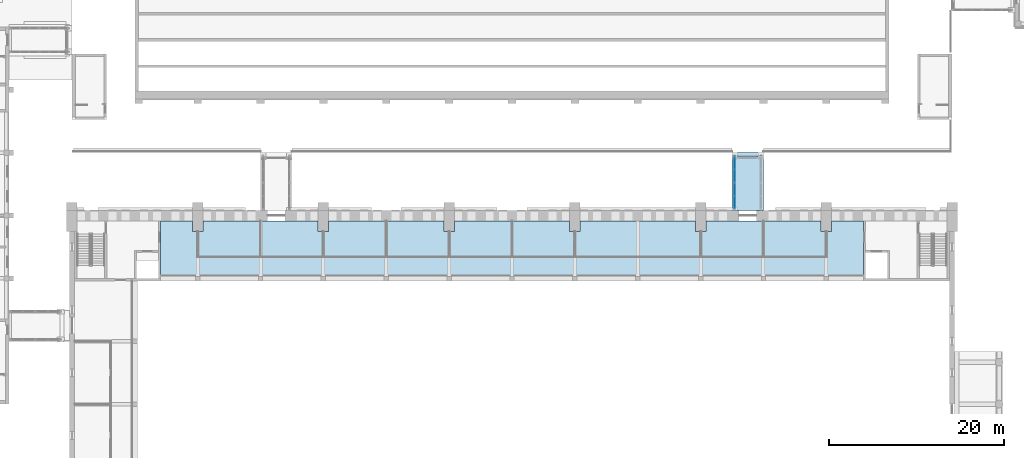
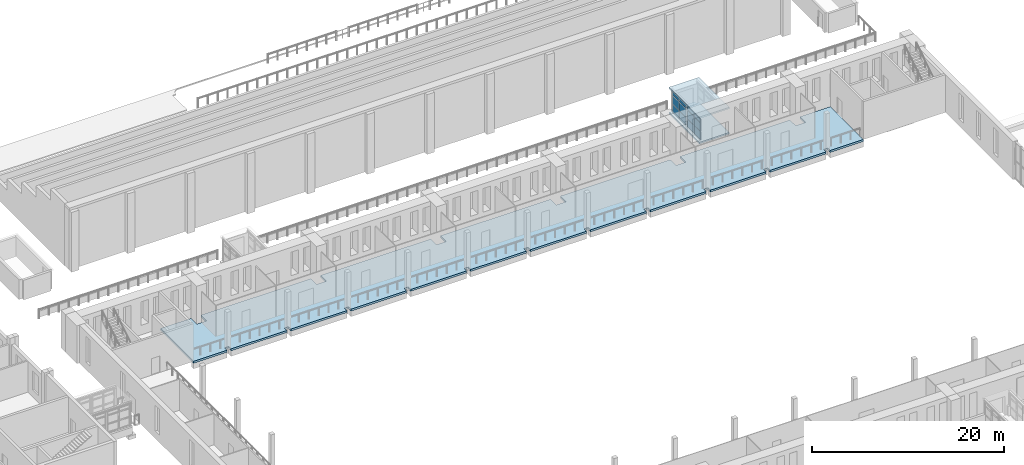
# One storey, part 67 of 131: 13 plates, 3 slabs, 2 elements without a shape of their own.
"""IFC4 building model written with IfcOpenShell, lengths in metres."""

from ifc_helpers import new_model, si_unit, direction, frame, origin, origin_2d, place, context, subcontext, project, spatial, polyline, rectangle, outline, extrude, material, layer, layer_set, type_object, element, aggregate, save


model = new_model("IFC4")

# Units and contexts
model_context = context("Model", 3, precision=1e-05, world=origin(), true_north=direction((0.0, 1.0)))
body_context = subcontext(model_context, "Body", "Model", "MODEL_VIEW")
ifc_project = project(units=[si_unit("LENGTHUNIT", "METRE"), si_unit("AREAUNIT", "SQUARE_METRE"), si_unit("VOLUMEUNIT", "CUBIC_METRE"), si_unit("PLANEANGLEUNIT", "RADIAN"), si_unit("MASSUNIT", "GRAM", prefix="KILO")], contexts=[model_context])

# Site, building, storey
site_placement = place(None, origin())
site = spatial("IfcSite", under=ifc_project, at=site_placement, CompositionType="ELEMENT")
building_placement = place(site_placement, origin())
building = spatial("IfcBuilding", under=site, at=building_placement, Name="Alderwick Market Hall", CompositionType="ELEMENT")
storey_placement = place(building_placement, frame((0.0, 0.0, 4.800048828125)))
storey = spatial("IfcBuildingStorey", under=building, at=storey_placement, Name="L00", CompositionType="ELEMENT", Elevation=4.800048828125)

# Slab
ifc_material_1 = material(Name="Concrete 4000 psi (f'c 28 MPa)", Category="concrete")
ifc_layer_1 = layer(ifc_material_1, 0.25)
ifc_layer_set_1 = layer_set([ifc_layer_1], Name="Concrete 4000 psi (f'c 28 MPa)")
slab_type_1 = type_object("IfcSlabType", Name="H Gallery slab 250", PredefinedType="FLOOR", material=ifc_layer_set_1)
slab_1_placement = place(storey_placement, frame((0.0, 0.0, -0.25)))
element("IfcSlab", 1, at=slab_1_placement, inside=storey, type_object=slab_type_1, Name="Gallery floor L00", PredefinedType="FLOOR", context=body_context, shape_type="SweptSolid", body=[
    extrude(outline(polyline([(64.199951171875, 107.39990234375), (64.199951171875, 106.199951171875), (65.39990234375, 106.199951171875), (65.39990234375, 107.39990234375), (78.60009765625, 107.39990234375), (78.60009765625, 106.199951171875), (79.800048828125, 106.199951171875), (79.800048828125, 107.39990234375), (93.0, 107.39990234375), (93.0, 106.199951171875), (94.199951171875, 106.199951171875), (94.199951171875, 107.39990234375), (107.39990234375, 107.39990234375), (107.39990234375, 106.199951171875), (108.60009765625, 106.199951171875), (108.60009765625, 107.39990234375), (121.800048828125, 107.39990234375), (121.800048828125, 106.199951171875), (123.0, 106.199951171875), (123.0, 107.39990234375), (136.199951171875, 107.39990234375), (136.199951171875, 106.199951171875), (137.39990234375, 106.199951171875), (137.39990234375, 107.39990234375), (141.050048828125, 107.39990234375), (141.050048828125, 100.510009765625), (137.050048828125, 100.510009765625), (137.050048828125, 101.010009765625), (136.550048828125, 101.010009765625), (136.550048828125, 100.510009765625), (129.85009765625, 100.510009765625), (129.85009765625, 101.010009765625), (129.35009765625, 101.010009765625), (129.35009765625, 100.510009765625), (122.64990234375, 100.510009765625), (122.64990234375, 101.010009765625), (122.14990234375, 101.010009765625), (122.14990234375, 100.510009765625), (115.449951171875, 100.510009765625), (115.449951171875, 101.010009765625), (114.949951171875, 101.010009765625), (114.949951171875, 100.510009765625), (108.25, 100.510009765625), (108.25, 101.010009765625), (107.75, 101.010009765625), (107.75, 100.510009765625), (101.050048828125, 100.510009765625), (101.050048828125, 101.010009765625), (100.550048828125, 101.010009765625), (100.550048828125, 100.510009765625), (93.85009765625, 100.510009765625), (93.85009765625, 101.010009765625), (93.35009765625, 101.010009765625), (93.35009765625, 100.510009765625), (86.64990234375, 100.510009765625), (86.64990234375, 101.010009765625), (86.14990234375, 101.010009765625), (86.14990234375, 100.510009765625), (79.449951171875, 100.510009765625), (79.449951171875, 101.010009765625), (78.949951171875, 101.010009765625), (78.949951171875, 100.510009765625), (72.25, 100.510009765625), (72.25, 101.010009765625), (71.75, 101.010009765625), (71.75, 100.510009765625), (65.050048828125, 100.510009765625), (65.050048828125, 101.010009765625), (64.550048828125, 101.010009765625), (64.550048828125, 100.510009765625), (60.550048828125, 100.510009765625), (60.550048828125, 107.39990234375), (64.199951171875, 107.39990234375)])), origin(), (0.0, 0.0, 1.0), 0.25),
])

# Curtain wall, plates
ifc_material_2 = material(Name="Aluminium frame", Category="aluminium")
ifc_layer_2 = layer(ifc_material_2, 0.10009765625)
ifc_layer_set_2 = layer_set([ifc_layer_2], Name="Aluminium frame")
curtain_wall_type = type_object("IfcCurtainWallType", Name="P Curtain Wall 100", PredefinedType="NOTDEFINED", material=ifc_layer_set_2)
curtain_wall_1_placement = place(storey_placement, origin())
curtain_wall_1 = element("IfcCurtainWall", 2, at=curtain_wall_1_placement, inside=storey, type_object=curtain_wall_type, Name="P.P2.cw.a0", PredefinedType="NOTDEFINED")
ifc_material_3 = material(Name="Glass, low-e insulated glazing", Category="glass")
ifc_layer_3 = layer(ifc_material_3, 0.028076171875)
ifc_layer_set_3 = layer_set([ifc_layer_3], Name="Glass, low-e insulated glazing")
plate_type_1 = type_object("IfcPlateType", Name="P Glass Panel 28", PredefinedType="CURTAIN_PANEL", material=ifc_layer_set_3)
plate_1_placement = place(storey_placement, frame((126.300048828125, 109.515380859375, 0.06005859375), z_axis=(0.0, 0.0, 1.0), x_axis=(0.0, 1.0, 0.0)))
plate_1 = element("IfcPlate", 3, at=plate_1_placement, type_object=plate_type_1, Name="P-CW2a0 panel 1.1", PredefinedType="CURTAIN_PANEL", context=body_context, shape_type="SweptSolid", body=[
    extrude(rectangle(XDim=1.35888671875, YDim=0.028076171875, at=origin_2d()), origin(), (0.0, 0.0, 1.0), 1.010009765625),
])
plate_2_placement = place(storey_placement, frame((126.300048828125, 109.515380859375, 1.1298828125), z_axis=(0.0, 0.0, 1.0), x_axis=(0.0, 1.0, 0.0)))
plate_2 = element("IfcPlate", 4, at=plate_2_placement, type_object=plate_type_1, Name="P-CW2a0 panel 1.2", PredefinedType="CURTAIN_PANEL", context=body_context, shape_type="SweptSolid", body=[
    extrude(rectangle(XDim=1.35888671875, YDim=0.028076171875, at=origin_2d()), origin(), (0.0, 0.0, 1.0), 1.0400390625),
])
plate_3_placement = place(storey_placement, frame((126.300048828125, 109.515380859375, 2.22998046875), z_axis=(0.0, 0.0, 1.0), x_axis=(0.0, 1.0, 0.0)))
plate_3 = element("IfcPlate", 5, at=plate_3_placement, type_object=plate_type_1, Name="P-CW2a0 panel 1.3", PredefinedType="CURTAIN_PANEL", context=body_context, shape_type="SweptSolid", body=[
    extrude(rectangle(XDim=1.35888671875, YDim=0.028076171875, at=origin_2d()), origin(), (0.0, 0.0, 1.0), 0.462890625),
])
plate_4_placement = place(storey_placement, frame((126.300048828125, 110.9345703125, 0.06005859375), z_axis=(0.0, 0.0, 1.0), x_axis=(0.0, 1.0, 0.0)))
plate_4 = element("IfcPlate", 6, at=plate_4_placement, type_object=plate_type_1, Name="P-CW2a0 panel 2.1", PredefinedType="CURTAIN_PANEL", context=body_context, shape_type="SweptSolid", body=[
    extrude(rectangle(XDim=1.35888671875, YDim=0.028076171875, at=origin_2d()), origin(), (0.0, 0.0, 1.0), 1.010009765625),
])
plate_5_placement = place(storey_placement, frame((126.300048828125, 110.9345703125, 1.1298828125), z_axis=(0.0, 0.0, 1.0), x_axis=(0.0, 1.0, 0.0)))
plate_5 = element("IfcPlate", 7, at=plate_5_placement, type_object=plate_type_1, Name="P-CW2a0 panel 2.2", PredefinedType="CURTAIN_PANEL", context=body_context, shape_type="SweptSolid", body=[
    extrude(rectangle(XDim=1.35888671875, YDim=0.028076171875, at=origin_2d()), origin(), (0.0, 0.0, 1.0), 1.0400390625),
])
plate_6_placement = place(storey_placement, frame((126.300048828125, 110.9345703125, 2.22998046875), z_axis=(0.0, 0.0, 1.0), x_axis=(0.0, 1.0, 0.0)))
plate_6 = element("IfcPlate", 8, at=plate_6_placement, type_object=plate_type_1, Name="P-CW2a0 panel 2.3", PredefinedType="CURTAIN_PANEL", context=body_context, shape_type="SweptSolid", body=[
    extrude(rectangle(XDim=1.35888671875, YDim=0.028076171875, at=origin_2d()), origin(), (0.0, 0.0, 1.0), 0.462890625),
])
aggregate(curtain_wall_1, [plate_1, plate_2, plate_3, plate_4, plate_5, plate_6])

curtain_wall_2_placement = place(storey_placement, origin())
curtain_wall_2 = element("IfcCurtainWall", 9, at=curtain_wall_2_placement, inside=storey, type_object=curtain_wall_type, Name="P.P2.cw.a1", PredefinedType="NOTDEFINED")
plate_7_placement = place(storey_placement, frame((126.300048828125, 112.5654296875, 0.06005859375), z_axis=(0.0, 0.0, 1.0), x_axis=(0.0, 1.0, 0.0)))
plate_7 = element("IfcPlate", 10, at=plate_7_placement, type_object=plate_type_1, Name="P-CW2a1 panel 1.1", PredefinedType="CURTAIN_PANEL", context=body_context, shape_type="SweptSolid", body=[
    extrude(rectangle(XDim=1.35888671875, YDim=0.028076171875, at=origin_2d()), origin(), (0.0, 0.0, 1.0), 1.010009765625),
])
plate_8_placement = place(storey_placement, frame((126.300048828125, 112.5654296875, 1.1298828125), z_axis=(0.0, 0.0, 1.0), x_axis=(0.0, 1.0, 0.0)))
plate_8 = element("IfcPlate", 11, at=plate_8_placement, type_object=plate_type_1, Name="P-CW2a1 panel 1.2", PredefinedType="CURTAIN_PANEL", context=body_context, shape_type="SweptSolid", body=[
    extrude(rectangle(XDim=1.35888671875, YDim=0.028076171875, at=origin_2d()), origin(), (0.0, 0.0, 1.0), 1.0400390625),
])
plate_9_placement = place(storey_placement, frame((126.300048828125, 112.5654296875, 2.22998046875), z_axis=(0.0, 0.0, 1.0), x_axis=(0.0, 1.0, 0.0)))
plate_9 = element("IfcPlate", 12, at=plate_9_placement, type_object=plate_type_1, Name="P-CW2a1 panel 1.3", PredefinedType="CURTAIN_PANEL", context=body_context, shape_type="SweptSolid", body=[
    extrude(rectangle(XDim=1.35888671875, YDim=0.028076171875, at=origin_2d()), origin(), (0.0, 0.0, 1.0), 0.462890625),
])
plate_10_placement = place(storey_placement, frame((126.300048828125, 113.984619140625, 0.06005859375), z_axis=(0.0, 0.0, 1.0), x_axis=(0.0, 1.0, 0.0)))
plate_10 = element("IfcPlate", 13, at=plate_10_placement, type_object=plate_type_1, Name="P-CW2a1 panel 2.1", PredefinedType="CURTAIN_PANEL", context=body_context, shape_type="SweptSolid", body=[
    extrude(rectangle(XDim=1.35888671875, YDim=0.028076171875, at=origin_2d()), origin(), (0.0, 0.0, 1.0), 1.010009765625),
])
plate_11_placement = place(storey_placement, frame((126.300048828125, 113.984619140625, 1.1298828125), z_axis=(0.0, 0.0, 1.0), x_axis=(0.0, 1.0, 0.0)))
plate_11 = element("IfcPlate", 14, at=plate_11_placement, type_object=plate_type_1, Name="P-CW2a1 panel 2.2", PredefinedType="CURTAIN_PANEL", context=body_context, shape_type="SweptSolid", body=[
    extrude(rectangle(XDim=1.35888671875, YDim=0.028076171875, at=origin_2d()), origin(), (0.0, 0.0, 1.0), 1.0400390625),
])
plate_12_placement = place(storey_placement, frame((126.300048828125, 113.984619140625, 2.22998046875), z_axis=(0.0, 0.0, 1.0), x_axis=(0.0, 1.0, 0.0)))
plate_12 = element("IfcPlate", 15, at=plate_12_placement, type_object=plate_type_1, Name="P-CW2a1 panel 2.3", PredefinedType="CURTAIN_PANEL", context=body_context, shape_type="SweptSolid", body=[
    extrude(rectangle(XDim=1.35888671875, YDim=0.028076171875, at=origin_2d()), origin(), (0.0, 0.0, 1.0), 0.462890625),
])
aggregate(curtain_wall_2, [plate_7, plate_8, plate_9, plate_10, plate_11, plate_12])

# Plate
ifc_material_4 = material(Name="Stainless steel plate, grade 316", Category="steel")
ifc_layer_4 = layer(ifc_material_4, 0.011962890625)
ifc_layer_set_4 = layer_set([ifc_layer_4], Name="Stainless steel plate, grade 316")
plate_type_2 = type_object("IfcPlateType", Name="P Joint Cover Plate 12", PredefinedType="SHEET", material=ifc_layer_set_4)
plate_13_placement = place(storey_placement, frame((127.800048828125, 114.97509765625, 0.0), z_axis=(0.0, 0.0, 1.0), x_axis=(1.0, 0.0, 0.0)))
element("IfcPlate", 16, at=plate_13_placement, inside=storey, type_object=plate_type_2, Name="Threshold cover plate", PredefinedType="SHEET", context=body_context, shape_type="SweptSolid", body=[
    extrude(rectangle(XDim=2.847900390625, YDim=0.449951171875, at=origin_2d()), origin(), (0.0, 0.0, 1.0), 0.011962890625),
])

# Slabs
ifc_layer_5 = layer(ifc_material_1, 0.199951171875)
ifc_layer_set_5 = layer_set([ifc_layer_5], Name="Concrete 4000 psi (f'c 28 MPa)")
slab_type_2 = type_object("IfcSlabType", Name="P Passage Roof Deck 200", PredefinedType="ROOF", material=ifc_layer_set_5)
slab_2_placement = place(storey_placement, frame((0.0, 0.0, 3.0)))
element("IfcSlab", 17, at=slab_2_placement, inside=storey, type_object=slab_type_2, Name="P.P2.roof", PredefinedType="ROOF", context=body_context, shape_type="SweptSolid", body=[
    extrude(outline(polyline([(126.0, 108.60009765625), (129.60009765625, 108.60009765625), (129.60009765625, 114.89990234375), (126.0, 114.89990234375), (126.0, 108.60009765625)])), origin(), (0.0, 0.0, 1.0), 0.199951171875),
])
ifc_layer_6 = layer(ifc_material_1, 0.199951171875)
ifc_layer_set_6 = layer_set([ifc_layer_6], Name="Concrete 4000 psi (f'c 28 MPa)")
slab_type_3 = type_object("IfcSlabType", Name="P RC Passage Deck 200", PredefinedType="FLOOR", material=ifc_layer_set_6)
slab_3_placement = place(storey_placement, frame((0.0, 0.0, -0.199951171875)))
element("IfcSlab", 18, at=slab_3_placement, inside=storey, type_object=slab_type_3, Name="P.P2.deck", PredefinedType="FLOOR", context=body_context, shape_type="SweptSolid", body=[
    extrude(outline(polyline([(126.0, 108.60009765625), (129.60009765625, 108.60009765625), (129.60009765625, 114.89990234375), (126.0, 114.89990234375), (126.0, 108.60009765625)])), origin(), (0.0, 0.0, 1.0), 0.199951171875),
])

save(model, "model.ifc")
